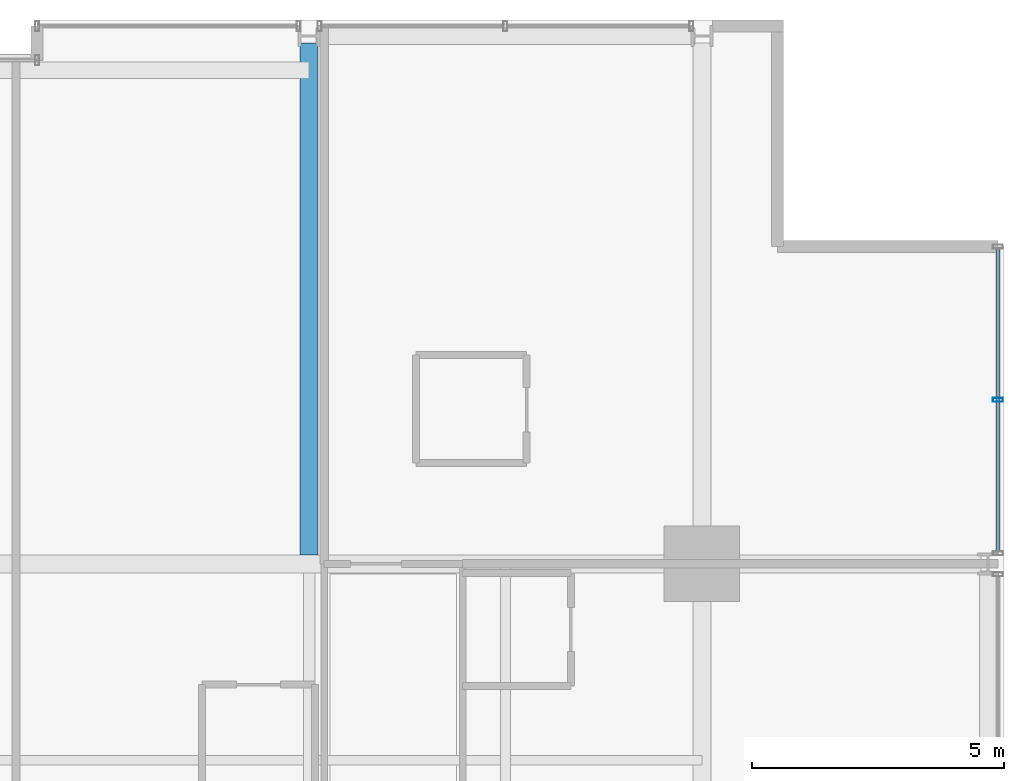
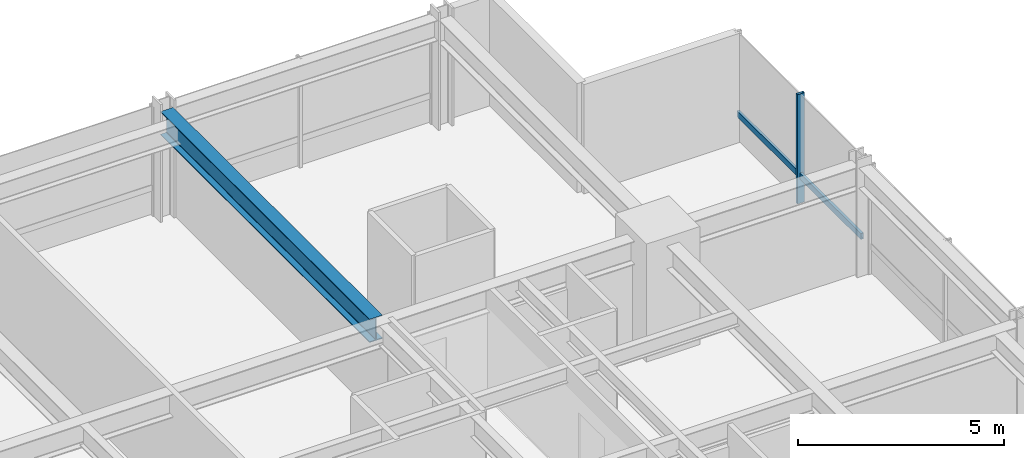
# One storey, part 24 of 35: 2 members, 1 beam, 1 element without a shape of its own.
"""IFC4 building model written with IfcOpenShell, lengths in metres."""

from ifc_helpers import new_model, si_unit, direction, frame, origin, origin_2d, place, context, subcontext, project, spatial, hollow_rectangle, i_section, extrude, material, layer, layer_set, material_profile, profile_set, type_object, element, aggregate, save


model = new_model("IFC4")

# Units and contexts
model_context = context("Model", 3, precision=1e-05, world=origin(), true_north=direction((0.0, 1.0)))
body_context = subcontext(model_context, "Body", "Model", "MODEL_VIEW")
ifc_project = project(units=[si_unit("LENGTHUNIT", "METRE"), si_unit("AREAUNIT", "SQUARE_METRE"), si_unit("VOLUMEUNIT", "CUBIC_METRE"), si_unit("PLANEANGLEUNIT", "RADIAN"), si_unit("MASSUNIT", "GRAM", prefix="KILO")], contexts=[model_context])

# Site, building, storey
site_placement = place(None, origin())
site = spatial("IfcSite", under=ifc_project, at=site_placement, CompositionType="ELEMENT")
building_placement = place(site_placement, origin())
building = spatial("IfcBuilding", under=site, at=building_placement, Name="Drelvath Grand Hotel", CompositionType="ELEMENT")
storey_placement = place(building_placement, frame((0.0, 0.0, 130.300048828125)))
storey = spatial("IfcBuildingStorey", under=building, at=storey_placement, Name="L33", CompositionType="ELEMENT", Elevation=130.300048828125)

# Curtain wall, members
ifc_material_1 = material(Name="Champagne Bronze Anodised Aluminium Frame", Category="aluminium")
ifc_layer = layer(ifc_material_1, 0.199951171875)
ifc_layer_set = layer_set([ifc_layer], Name="Champagne Bronze Anodised Aluminium Frame")
curtain_wall_type = type_object("IfcCurtainWallType", Name="Stick Curtain Wall CW-03 Champagne Bronze Mid-Rise", PredefinedType="NOTDEFINED", material=ifc_layer_set)
curtain_wall_placement = place(storey_placement, origin())
curtain_wall = element("IfcCurtainWall", 1, at=curtain_wall_placement, inside=storey, type_object=curtain_wall_type, Name="L33 CW-03 Curtain Wall CW03-L33-EN3", PredefinedType="NOTDEFINED")
ifc_material_profile_1 = material_profile(ifc_material_1, hollow_rectangle(XDim=0.074951171875, YDim=0.179931640625, WallThickness=0.0048828125, at=origin_2d()), Name="HSS180X75X5")
ifc_profile_set_1 = profile_set([ifc_material_profile_1], Name="Champagne Bronze Anodised Aluminium Frame")
member_type_1 = type_object("IfcMemberType", Name="Curtain Wall Horizontal Transom CW-03 HSS180X75X5", PredefinedType="USERDEFINED", material=ifc_profile_set_1)
member_1_placement = place(storey_placement, frame((22.080078125, 49.4599609375, 0.81005859375), z_axis=(0.0, -1.0, 0.0), x_axis=(1.0, 0.0, 0.0)))
member_1 = element("IfcMember", 2, at=member_1_placement, type_object=member_type_1, Name="CW03-L33-EN3 Sill Transom", ObjectType="TRANSOM", PredefinedType="USERDEFINED", context=body_context, shape_type="SweptSolid", body=[
    extrude(hollow_rectangle(XDim=0.074951171875, YDim=0.179931640625, WallThickness=0.0048828125, at=origin_2d()), origin(), (0.0, 0.0, 1.0), 6.010498046875),
])
ifc_material_profile_2 = material_profile(ifc_material_1, hollow_rectangle(XDim=0.080078125, YDim=0.199951171875, WallThickness=0.0048828125, at=origin_2d()), Name="HSS200X80X5")
ifc_profile_set_2 = profile_set([ifc_material_profile_2], Name="Champagne Bronze Anodised Aluminium Frame")
member_type_2 = type_object("IfcMemberType", Name="Curtain Wall Vertical Mullion CW-03 HSS200X80X5", PredefinedType="MULLION", material=ifc_profile_set_2)
member_2_placement = place(storey_placement, frame((22.080078125, 46.45458984375, 0.0), z_axis=(0.0, 0.0, 1.0), x_axis=(0.0, 1.0, 0.0)))
member_2 = element("IfcMember", 3, at=member_2_placement, type_object=member_type_2, Name="CW03-L33-EN3 Mullion 2", PredefinedType="MULLION", context=body_context, shape_type="SweptSolid", body=[
    extrude(hollow_rectangle(XDim=0.080078125, YDim=0.199951171875, WallThickness=0.0048828125, at=origin_2d()), origin(), (0.0, 0.0, 1.0), 3.239990234375),
])
aggregate(curtain_wall, [member_2, member_1])

# Beam
ifc_material_2 = material(Name="Steel ASTM A992 Gr 50", Category="steel")
ifc_material_profile_3 = material_profile(ifc_material_2, i_section(OverallWidth=0.354736328125, OverallDepth=0.695556640625, WebThickness=0.015380859375, FlangeThickness=0.025146484375, FilletRadius=0.02392578125, at=origin_2d()), Name="W27X146")
ifc_profile_set_3 = profile_set([ifc_material_profile_3], Name="Steel ASTM A992 Gr 50")
beam_type = type_object("IfcBeamType", Name="Primary Floor Girder W27X146", PredefinedType="BEAM", material=ifc_profile_set_3)
beam_placement = place(storey_placement, frame((8.39990234375, 43.37744140625, 2.892333984375), z_axis=(0.0, 1.0, 0.0), x_axis=(-1.0, 0.0, 0.0)))
element("IfcBeam", 4, at=beam_placement, inside=storey, type_object=beam_type, Name="L33 North Wing Girder 6", PredefinedType="BEAM", context=body_context, shape_type="SweptSolid", body=[
    extrude(i_section(OverallWidth=0.354736328125, OverallDepth=0.695556640625, WebThickness=0.015380859375, FlangeThickness=0.025146484375, FilletRadius=0.02392578125, at=origin_2d()), origin(), (0.0, 0.0, 1.0), 10.16259765625),
])

save(model, "model.ifc")
